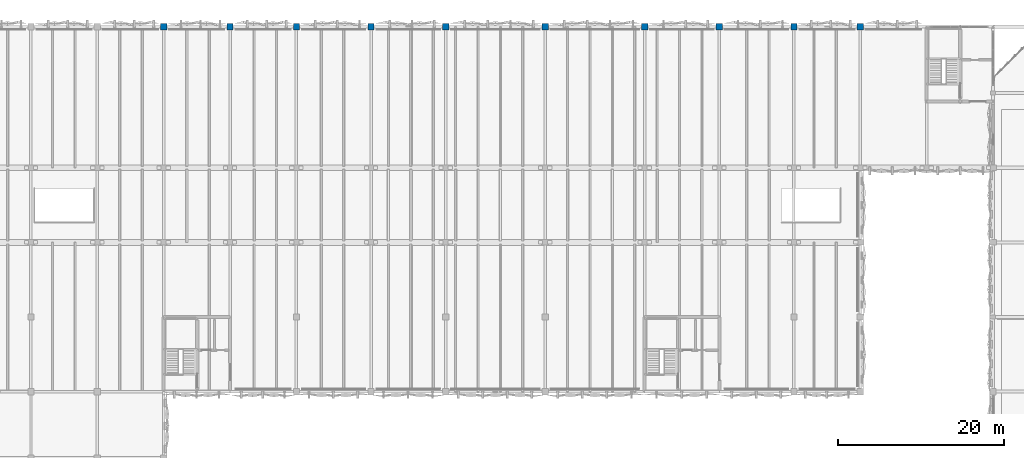
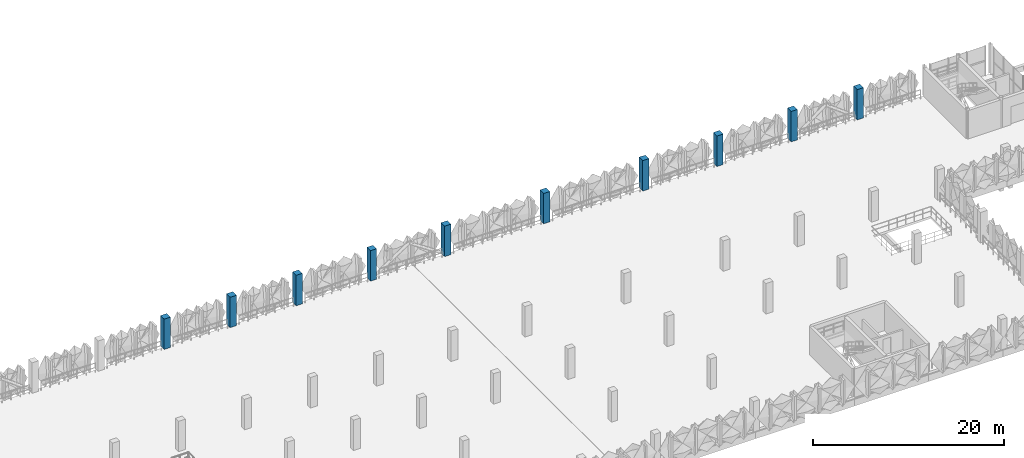
# One storey, part 8 of 83: 10 columns.
"""IFC4 building model written with IfcOpenShell, lengths in metres."""

from ifc_helpers import new_model, si_unit, derived_unit, direction, frame, origin, origin_2d, place, context, subcontext, project, spatial, rectangle, extrude, material, material_profile, profile_set, type_object, element, save


model = new_model("IFC4")

# Units and contexts
model_context = context("Model", 3, precision=1e-05, world=origin(), true_north=direction((0.0, 1.0)))
body_context = subcontext(model_context, "Body", "Model", "MODEL_VIEW")
ifc_project = project(units=[si_unit("LENGTHUNIT", "METRE"), si_unit("AREAUNIT", "SQUARE_METRE"), si_unit("VOLUMEUNIT", "CUBIC_METRE"), si_unit("PLANEANGLEUNIT", "RADIAN"), si_unit("MASSUNIT", "GRAM", prefix="KILO"), si_unit("THERMODYNAMICTEMPERATUREUNIT", "KELVIN"), derived_unit("THERMALTRANSMITTANCEUNIT", [(si_unit("POWERUNIT", "WATT"), 1), (si_unit("AREAUNIT", "SQUARE_METRE"), -1), (si_unit("THERMODYNAMICTEMPERATUREUNIT", "KELVIN"), -1)])], contexts=[model_context])

# Site, building, storey
site_placement = place(None, origin())
site = spatial("IfcSite", under=ifc_project, at=site_placement, CompositionType="ELEMENT")
building_placement = place(site_placement, origin())
building = spatial("IfcBuilding", under=site, at=building_placement, Name="Haiyu Intermodal Mobility Hub", CompositionType="ELEMENT")
storey_placement = place(building_placement, frame((0.0, 0.0, 13.39990234375)))
storey = spatial("IfcBuildingStorey", under=building, at=storey_placement, Name="L03", CompositionType="ELEMENT", Elevation=13.39990234375)

# Columns
ifc_material = material(Name="Precast concrete C40", Category="concrete")
ifc_material_profile = material_profile(ifc_material, rectangle(XDim=0.75, YDim=0.75, at=origin_2d()), Name="RC750x750")
ifc_profile_set = profile_set([ifc_material_profile], Name="Precast concrete C40")
column_type = type_object("IfcColumnType", Name="COL-CC03-EXT", PredefinedType="COLUMN", material=ifc_profile_set)
for number, where, z_axis, x_axis, name in (
    (1, (62.0, 148.0, 0.0), (0.0, 0.0, 1.0), (1.0, 0.0, 0.0), "Column V4-7S L03"),
    (2, (70.0, 148.0, 0.0), (0.0, 0.0, 1.0), (1.0, 0.0, 0.0), "Column V4-8S L03"),
    (3, (78.0, 148.0, 0.0), (0.0, 0.0, 1.0), (1.0, 0.0, 0.0), "Column V4-9S L03"),
    (4, (87.0, 148.0, 0.0), (0.0, 0.0, 1.0), (1.0, 0.0, 0.0), "Column V4-10S L03"),
    (5, (96.0, 148.0, 0.0), (0.0, 0.0, 1.0), (1.0, 0.0, 0.0), "Column V4-11S L03"),
    (6, (108.0, 148.0, 0.0), (0.0, 0.0, 1.0), (1.0, 0.0, 0.0), "Column V4-12S L03"),
    (7, (120.0, 148.0, 0.0), (0.0, 0.0, 1.0), (1.0, 0.0, 0.0), "Column V4-13S L03"),
    (8, (129.0, 148.0, 0.0), (0.0, 0.0, 1.0), (1.0, 0.0, 0.0), "Column V4-14S L03"),
    (9, (138.0, 148.0, 0.0), (0.0, 0.0, 1.0), (1.0, 0.0, 0.0), "Column V4-15S L03"),
    (10, (146.0, 148.0, 0.0), (0.0, 0.0, 1.0), (1.0, 0.0, 0.0), "Column V4-16S L03"),
):
    element("IfcColumn", number, at=place(storey_placement, frame(where, z_axis=z_axis, x_axis=x_axis)), inside=storey, type_object=column_type, Name=name, PredefinedType="COLUMN", context=body_context, shape_type="SweptSolid", body=[
        extrude(rectangle(XDim=0.75, YDim=0.75, at=origin_2d()), origin(), (0.0, 0.0, 1.0), 3.900146484375),
    ])

save(model, "model.ifc")
